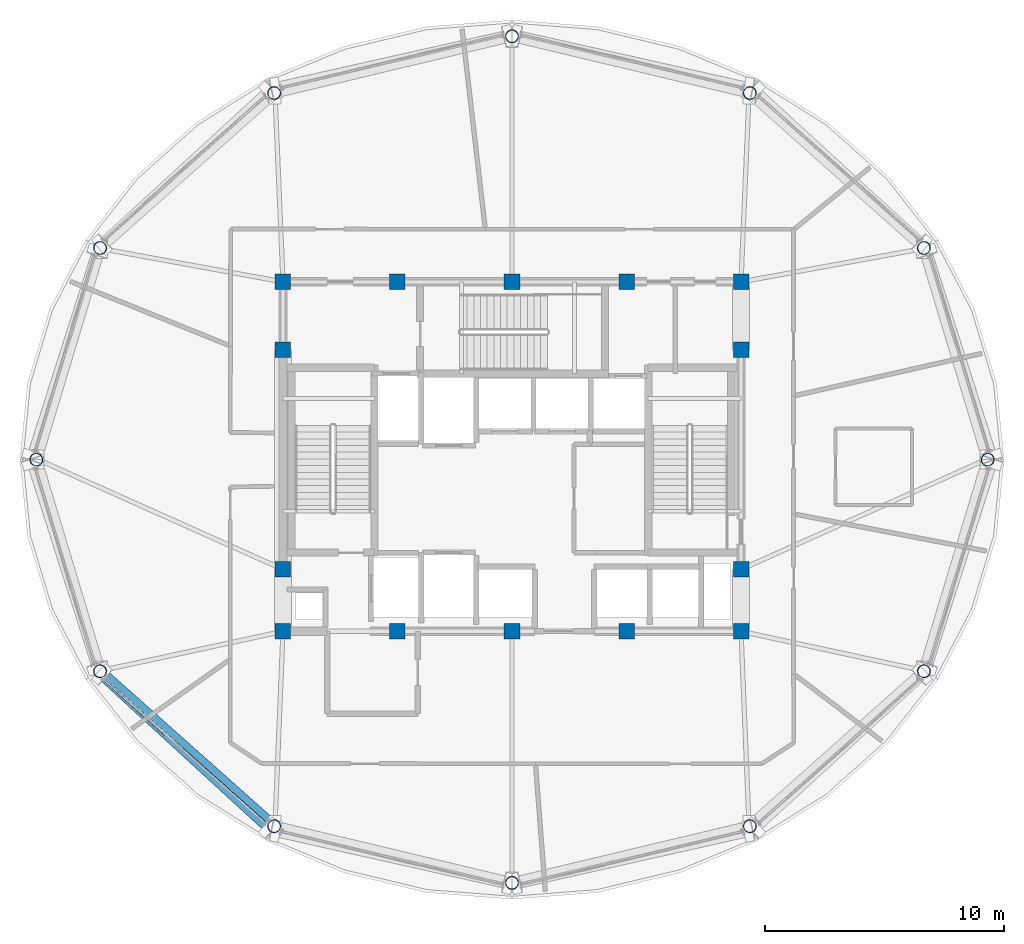
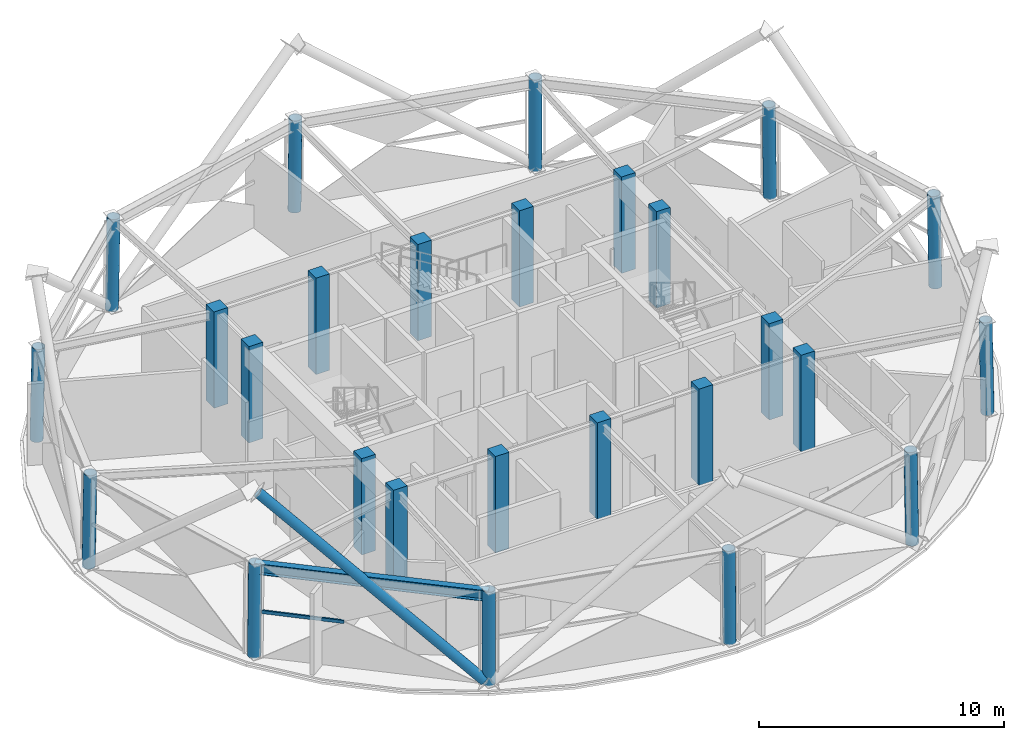
# One storey, part 1 of 14: 26 columns, 2 members, 1 beam, 1 element without a shape of its own.
"""IFC4 building model written with IfcOpenShell, lengths in metres."""

from ifc_helpers import new_model, si_unit, direction, frame, origin, origin_2d, place, context, subcontext, project, spatial, rectangle, hollow_rectangle, hollow_circle, i_section, extrude, material, layer, layer_set, material_profile, profile_set, type_object, element, aggregate, save


model = new_model("IFC4")

# Units and contexts
model_context = context("Model", 3, precision=1e-05, world=origin(), true_north=direction((0.0, 1.0)))
body_context = subcontext(model_context, "Body", "Model", "MODEL_VIEW")
ifc_project = project(units=[si_unit("LENGTHUNIT", "METRE"), si_unit("AREAUNIT", "SQUARE_METRE"), si_unit("VOLUMEUNIT", "CUBIC_METRE"), si_unit("PLANEANGLEUNIT", "RADIAN"), si_unit("MASSUNIT", "GRAM", prefix="KILO")], contexts=[model_context])

# Site, building, storey
site_placement = place(None, origin())
site = spatial("IfcSite", under=ifc_project, at=site_placement, CompositionType="ELEMENT")
building_placement = place(site_placement, origin())
building = spatial("IfcBuilding", under=site, at=building_placement, Name="Vantalir Tower", CompositionType="ELEMENT")
storey_placement = place(building_placement, frame((0.0, 0.0, 259.050048828125)))
storey = spatial("IfcBuildingStorey", under=building, at=storey_placement, Name="L65", CompositionType="ELEMENT", Elevation=259.050048828125)

# Columns
ifc_material_1 = material(Name="Concrete C50/60", Category="concrete")
ifc_material_profile_1 = material_profile(ifc_material_1, rectangle(XDim=0.64990234375, YDim=0.64990234375, at=origin_2d()), Name="Concrete C50/60")
ifc_profile_set_1 = profile_set([ifc_material_profile_1], Name="Concrete C50/60")
column_type_1 = type_object("IfcColumnType", Name="COL-CC-650", PredefinedType="COLUMN", material=ifc_profile_set_1)
for number, where, z_axis, x_axis, name in (
    (1, (21.89990234375, 17.800048828125, 0.0), (0.0, 0.0, 1.0), (1.0, 0.0, 0.0), "L65 Core Column CC01"),
    (2, (26.699951171875, 17.800048828125, 0.0), (0.0, 0.0, 1.0), (1.0, 0.0, 0.0), "L65 Core Column CC02"),
    (3, (31.5, 17.800048828125, 0.0), (0.0, 0.0, 1.0), (1.0, 0.0, 0.0), "L65 Core Column CC03"),
    (4, (36.300048828125, 17.800048828125, 0.0), (0.0, 0.0, 1.0), (1.0, 0.0, 0.0), "L65 Core Column CC04"),
    (5, (41.10009765625, 17.800048828125, 0.0), (0.0, 0.0, 1.0), (1.0, 0.0, 0.0), "L65 Core Column CC05"),
    (6, (21.89990234375, 20.39990234375, 0.0), (0.0, 0.0, 1.0), (1.0, 0.0, 0.0), "L65 Core Column CC06"),
    (7, (21.89990234375, 29.60009765625, 0.0), (0.0, 0.0, 1.0), (1.0, 0.0, 0.0), "L65 Core Column CC07"),
    (8, (41.10009765625, 20.39990234375, 0.0), (0.0, 0.0, 1.0), (1.0, 0.0, 0.0), "L65 Core Column CC08"),
    (9, (41.10009765625, 29.60009765625, 0.0), (0.0, 0.0, 1.0), (1.0, 0.0, 0.0), "L65 Core Column CC09"),
    (10, (21.89990234375, 32.449951171875, 0.0), (0.0, 0.0, 1.0), (1.0, 0.0, 0.0), "L65 Core Column CC10"),
    (11, (26.699951171875, 32.449951171875, 0.0), (0.0, 0.0, 1.0), (1.0, 0.0, 0.0), "L65 Core Column CC11"),
    (12, (31.5, 32.449951171875, 0.0), (0.0, 0.0, 1.0), (1.0, 0.0, 0.0), "L65 Core Column CC12"),
    (13, (36.300048828125, 32.449951171875, 0.0), (0.0, 0.0, 1.0), (1.0, 0.0, 0.0), "L65 Core Column CC13"),
    (14, (41.10009765625, 32.449951171875, 0.0), (0.0, 0.0, 1.0), (1.0, 0.0, 0.0), "L65 Core Column CC14"),
):
    element("IfcColumn", number, at=place(storey_placement, frame(where, z_axis=z_axis, x_axis=x_axis)), inside=storey, type_object=column_type_1, Name=name, PredefinedType="COLUMN", context=body_context, shape_type="SweptSolid", body=[
        extrude(rectangle(XDim=0.64990234375, YDim=0.64990234375, at=origin_2d()), origin(), (0.0, 0.0, 1.0), 4.800048828125),
    ])
ifc_material_2 = material(Name="Steel S460", Category="steel")
ifc_material_profile_2 = material_profile(ifc_material_2, hollow_circle(Radius=0.27490234375, WallThickness=0.02490234375, at=origin_2d()), Name="Steel S460")
ifc_profile_set_2 = profile_set([ifc_material_profile_2], Name="Steel S460")
column_type_2 = type_object("IfcColumnType", Name="COL-RC-550", PredefinedType="COLUMN", material=ifc_profile_set_2)
for number, where, z_axis, x_axis, name in (
    (15, (51.449951171875, 25.0, 0.0), (-0.017277978489, 0.0, 0.999850724588), (0.0, -1.0, 0.0), "L65 Perimeter Ring Column RC01"),
    (16, (48.777099609375, 33.876953125, 0.0), (-0.014953222071, -0.007767221359, 0.999858025633), (0.460957758055, -0.887422078432, 0.0), "L65 Perimeter Ring Column RC02"),
):
    element("IfcColumn", number, at=place(storey_placement, frame(where, z_axis=z_axis, x_axis=x_axis)), inside=storey, type_object=column_type_2, Name=name, PredefinedType="COLUMN", context=body_context, shape_type="SweptSolid", body=[
        extrude(hollow_circle(Radius=0.27490234375, WallThickness=0.02490234375, at=origin_2d()), origin(), (0.0, 0.0, 1.0), 4.62060546875),
    ])
for number, where, z_axis, x_axis, name in (
    (17, (41.47509765625, 40.375, 0.0), (-0.008665595875, -0.013421105806, 0.99987238254), (0.840102178973, -0.54242817855, 0.0), "L65 Perimeter Ring Column RC03"),
    (18, (31.5, 42.75390625, 0.0), (0.0, -0.015587600236, 0.999878505979), (1.0, 0.0, 0.0), "L65 Perimeter Ring Column RC04"),
    (19, (21.52490234375, 40.375, 0.0), (0.008665595875, -0.013421105806, 0.99987238254), (0.840102178973, 0.54242817855, 0.0), "L65 Perimeter Ring Column RC05"),
):
    element("IfcColumn", number, at=place(storey_placement, frame(where, z_axis=z_axis, x_axis=x_axis)), inside=storey, type_object=column_type_2, Name=name, PredefinedType="COLUMN", context=body_context, shape_type="SweptSolid", body=[
        extrude(hollow_circle(Radius=0.27490234375, WallThickness=0.02490234375, at=origin_2d()), origin(), (0.0, 0.0, 1.0), 4.620361328125),
    ])
for number, where, z_axis, x_axis, name in (
    (20, (14.222900390625, 33.876953125, 0.0), (0.014953222071, -0.007767221359, 0.999858025633), (0.460957758055, 0.887422078432, 0.0), "L65 Perimeter Ring Column RC06"),
    (21, (11.550048828125, 25.0, 0.0), (0.017277978489, 0.0, 0.999850724588), (0.0, 1.0, 0.0), "L65 Perimeter Ring Column RC07"),
    (22, (14.222900390625, 16.123046875, 0.0), (0.014953222071, 0.007767221359, 0.999858025633), (-0.460957758055, 0.887422078432, 0.0), "L65 Perimeter Ring Column RC08"),
):
    element("IfcColumn", number, at=place(storey_placement, frame(where, z_axis=z_axis, x_axis=x_axis)), inside=storey, type_object=column_type_2, Name=name, PredefinedType="COLUMN", context=body_context, shape_type="SweptSolid", body=[
        extrude(hollow_circle(Radius=0.27490234375, WallThickness=0.02490234375, at=origin_2d()), origin(), (0.0, 0.0, 1.0), 4.62060546875),
    ])
for number, where, z_axis, x_axis, name in (
    (23, (21.52490234375, 9.625, 0.0), (0.008665595875, 0.013421105806, 0.99987238254), (-0.840102178973, 0.54242817855, 0.0), "L65 Perimeter Ring Column RC09"),
    (24, (31.5, 7.24609375, 0.0), (0.0, 0.015587600236, 0.999878505979), (-1.0, 0.0, 0.0), "L65 Perimeter Ring Column RC10"),
    (25, (41.47509765625, 9.625, 0.0), (-0.008665595875, 0.013421105806, 0.99987238254), (-0.840102178973, -0.54242817855, 0.0), "L65 Perimeter Ring Column RC11"),
):
    element("IfcColumn", number, at=place(storey_placement, frame(where, z_axis=z_axis, x_axis=x_axis)), inside=storey, type_object=column_type_2, Name=name, PredefinedType="COLUMN", context=body_context, shape_type="SweptSolid", body=[
        extrude(hollow_circle(Radius=0.27490234375, WallThickness=0.02490234375, at=origin_2d()), origin(), (0.0, 0.0, 1.0), 4.620361328125),
    ])
column_placement = place(storey_placement, frame((48.777099609375, 16.123046875, 0.0), z_axis=(-0.014953222071, 0.007767221359, 0.999858025633), x_axis=(-0.460957758055, -0.887422078432, 0.0)))
element("IfcColumn", 26, at=column_placement, inside=storey, type_object=column_type_2, Name="L65 Perimeter Ring Column RC12", PredefinedType="COLUMN", context=body_context, shape_type="SweptSolid", body=[
    extrude(hollow_circle(Radius=0.27490234375, WallThickness=0.02490234375, at=origin_2d()), origin(), (0.0, 0.0, 1.0), 4.62060546875),
])

# Beam
ifc_material_profile_3 = material_profile(ifc_material_2, i_section(OverallWidth=0.31201171875, OverallDepth=0.5419921875, WebThickness=0.0126953125, FlangeThickness=0.020263671875, at=origin_2d()), Name="Steel S460")
ifc_profile_set_3 = profile_set([ifc_material_profile_3], Name="Steel S460")
beam_type = type_object("IfcBeamType", Name="BM-RG-533x312", PredefinedType="USERDEFINED", material=ifc_profile_set_3)
beam_placement = place(storey_placement, frame((14.2919921875, 16.158935546875, 4.348876953125), z_axis=(0.747048097414, -0.664769990411, 0.0), x_axis=(0.664769990411, 0.747048097414, 0.0)))
element("IfcBeam", 27, at=beam_placement, inside=storey, type_object=beam_type, Name="L65 Circumferential Ring Girder 08", ObjectType="GIRDER", PredefinedType="USERDEFINED", context=body_context, shape_type="SweptSolid", body=[
    extrude(i_section(OverallWidth=0.31201171875, OverallDepth=0.5419921875, WebThickness=0.0126953125, FlangeThickness=0.020263671875, at=origin_2d()), origin(), (0.0, 0.0, 1.0), 9.735595703125),
])

# Curtain wall, member
ifc_material_3 = material(Name="Champagne-silver PVDF aluminium and double-silver Low-E glass", Category="aluminium")
ifc_layer = layer(ifc_material_3, 0.22998046875)
ifc_layer_set = layer_set([ifc_layer], Name="Champagne-silver PVDF aluminium and double-silver Low-E glass")
curtain_wall_type = type_object("IfcCurtainWallType", Name="CW-SKYLOBBY", PredefinedType="USERDEFINED", material=ifc_layer_set)
curtain_wall_placement = place(storey_placement, origin())
curtain_wall = element("IfcCurtainWall", 28, at=curtain_wall_placement, inside=storey, type_object=curtain_wall_type, Name="L65 Quilted Pyramid-Diamond Curtain Wall S08", ObjectType="UNITISED CURTAIN WALL", PredefinedType="USERDEFINED")
ifc_material_4 = material(Name="Champagne-silver PVDF aluminium 6063-T6", Category="aluminium")
ifc_material_profile_4 = material_profile(ifc_material_4, hollow_rectangle(XDim=0.074951171875, YDim=0.159912109375, WallThickness=0.00390625, at=origin_2d()), Name="Champagne-silver PVDF aluminium 6063-T6")
ifc_profile_set_4 = profile_set([ifc_material_profile_4], Name="Champagne-silver PVDF aluminium 6063-T6")
member_type_1 = type_object("IfcMemberType", Name="CWT-160x75", PredefinedType="USERDEFINED", material=ifc_profile_set_4)
member_1_placement = place(storey_placement, frame((14.384033203125, 15.787109375, 2.31005859375), z_axis=(0.742027575882, -0.670369358362, 0.0), x_axis=(0.670369358362, 0.742027575882, 0.0)))
member_1 = element("IfcMember", 29, at=member_1_placement, type_object=member_type_1, Name="CW-L65-S08 Pyramid Fold Ridge Transom", ObjectType="TRANSOM", PredefinedType="USERDEFINED", context=body_context, shape_type="SweptSolid", body=[
    extrude(hollow_rectangle(XDim=0.074951171875, YDim=0.159912109375, WallThickness=0.00390625, at=origin_2d()), origin(), (0.0, 0.0, 1.0), 3.444580078125),
])
aggregate(curtain_wall, [member_1])

# Member
ifc_material_profile_5 = material_profile(ifc_material_2, hollow_circle(Radius=0.22998046875, WallThickness=0.028076171875, at=origin_2d()), Name="Steel S460")
ifc_profile_set_5 = profile_set([ifc_material_profile_5], Name="Steel S460")
member_type_2 = type_object("IfcMemberType", Name="MEM-DB-460x28", PredefinedType="BRACE", material=ifc_profile_set_5)
member_2_placement = place(storey_placement, frame((21.305908203125, 9.573974609375, 0.220947265625), z_axis=(-0.565166146261, 0.518743900762, 0.641476416202), x_axis=(-0.676202567229, -0.736715744418, 0.0)))
element("IfcMember", 30, at=member_2_placement, inside=storey, type_object=member_type_2, Name="L65 Perimeter S460 Diagrid Brace R25R", PredefinedType="BRACE", context=body_context, shape_type="SweptSolid", body=[
    extrude(hollow_circle(Radius=0.22998046875, WallThickness=0.028076171875, at=origin_2d()), origin(), (0.0, 0.0, 1.0), 12.35888671875),
])

save(model, "model.ifc")
